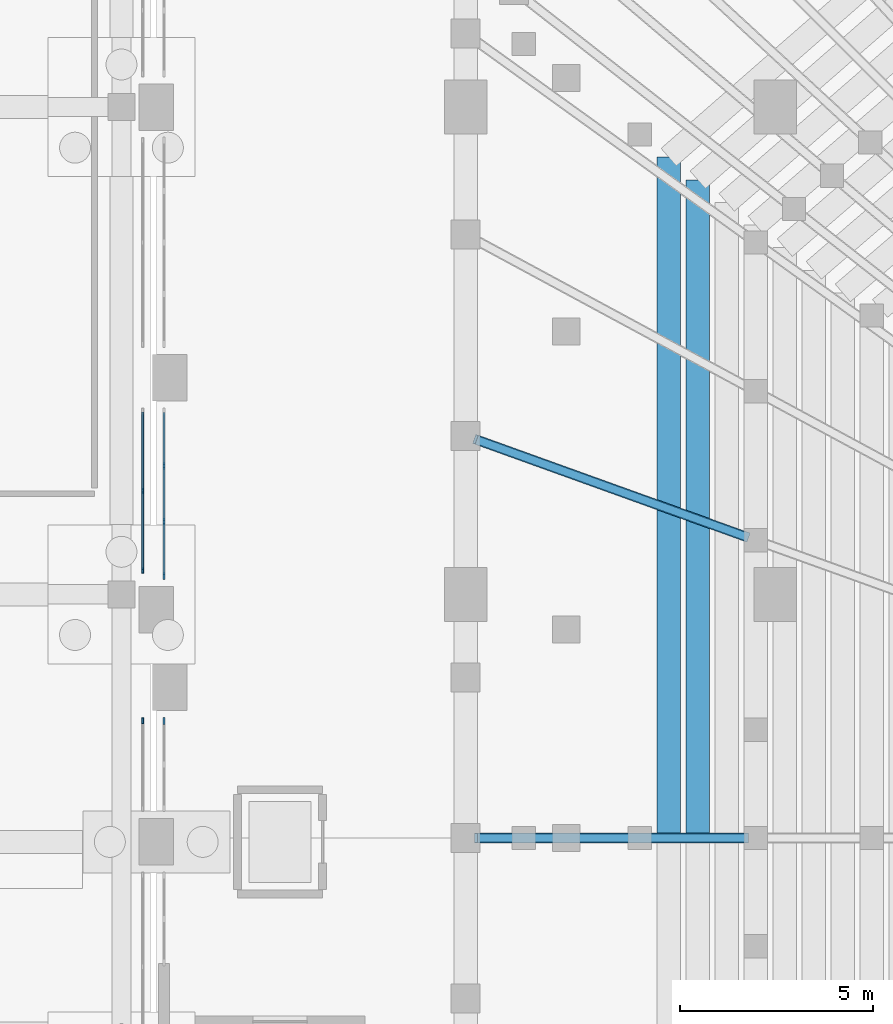
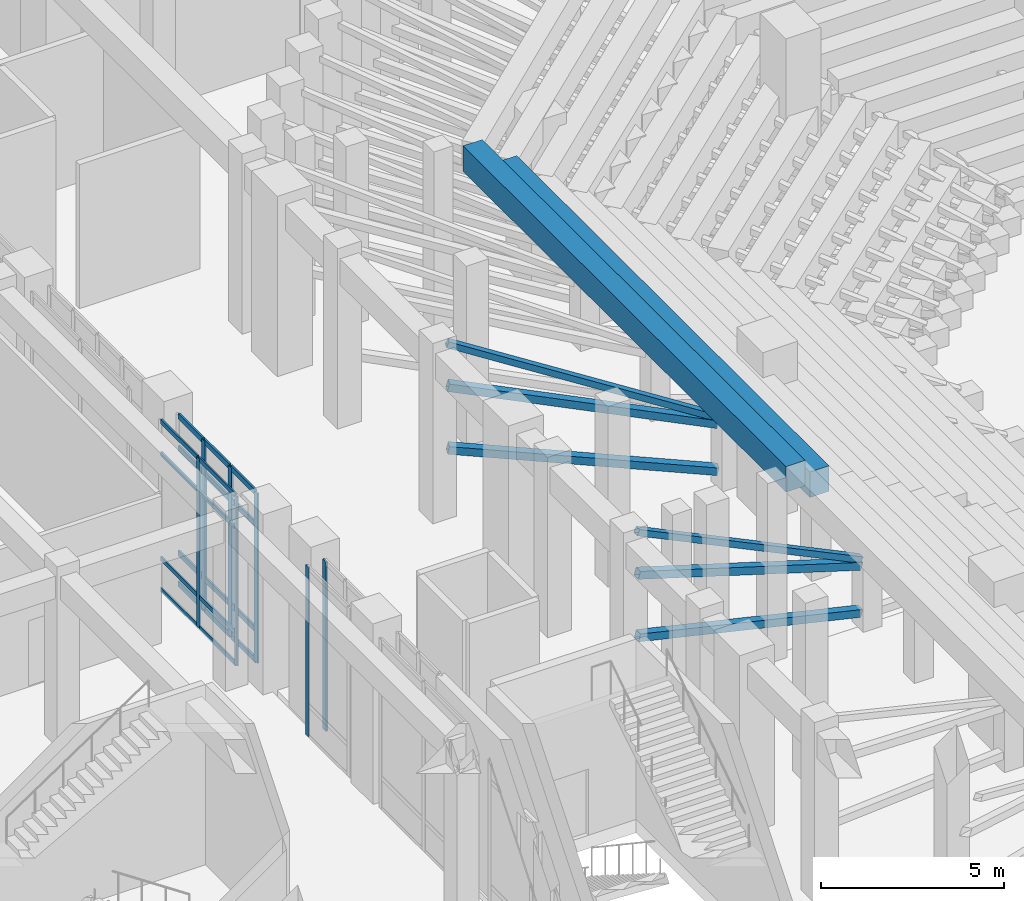
# One storey, part 41 of 143: 33 members, 2 beams, 4 elements without a shape of their own.
"""IFC4 building model written with IfcOpenShell, lengths in metres."""

from ifc_helpers import new_model, si_unit, derived_unit, direction, frame, origin, origin_2d, place, context, subcontext, project, spatial, rectangle, hollow_rectangle, extrude, material, layer, layer_set, material_profile, profile_set, type_object, element, aggregate, save


model = new_model("IFC4")

# Units and contexts
model_context = context("Model", 3, precision=1e-05, world=origin(), true_north=direction((0.0, 1.0)))
body_context = subcontext(model_context, "Body", "Model", "MODEL_VIEW")
ifc_project = project(units=[si_unit("LENGTHUNIT", "METRE"), si_unit("AREAUNIT", "SQUARE_METRE"), si_unit("VOLUMEUNIT", "CUBIC_METRE"), si_unit("PLANEANGLEUNIT", "RADIAN"), si_unit("MASSUNIT", "GRAM", prefix="KILO"), derived_unit("THERMALTRANSMITTANCEUNIT", [(si_unit("MASSUNIT", "GRAM", prefix="KILO"), 1), (si_unit("TIMEUNIT", "SECOND"), -3), (si_unit("THERMODYNAMICTEMPERATUREUNIT", "KELVIN"), -1)])], contexts=[model_context])

# Site, building, storey
site_placement = place(None, origin())
site = spatial("IfcSite", under=ifc_project, at=site_placement, CompositionType="ELEMENT")
building_placement = place(site_placement, origin())
building = spatial("IfcBuilding", under=site, at=building_placement, Name="Valcora Ridge Arena", CompositionType="ELEMENT")
storey_placement = place(building_placement, origin())
storey = spatial("IfcBuildingStorey", under=building, at=storey_placement, Name="L00", CompositionType="ELEMENT", Elevation=0.0)

# Beams
ifc_material_1 = material(Name="Concrete C40/50", Category="concrete")
ifc_material_profile_1 = material_profile(ifc_material_1, rectangle(XDim=0.60009765625, YDim=0.85009765625, at=origin_2d()), Name="RC 600x850")
ifc_profile_set_1 = profile_set([ifc_material_profile_1], Name="Concrete C40/50")
beam_type = type_object("IfcBeamType", Name="TY-BEAM-B-RC600-X", PredefinedType="BEAM", material=ifc_profile_set_1)
beam_1_placement = place(storey_placement, frame((30.0, 81.1201171875, 5.2548828125), z_axis=(0.0, -1.0, 0.0), x_axis=(1.0, 0.0, 0.0)))
element("IfcBeam", 1, at=beam_1_placement, inside=storey, type_object=beam_type, Name="B-RC600-X BEM-R2-B-RC600-X-0142", PredefinedType="BEAM", context=body_context, shape_type="SweptSolid", body=[
    extrude(rectangle(XDim=0.60009765625, YDim=0.85009765625, at=origin_2d()), origin(), (0.0, 0.0, 1.0), 17.02001953125),
])
beam_2_placement = place(storey_placement, frame((29.25, 81.705078125, 5.695068359375), z_axis=(0.0, -1.0, 0.0), x_axis=(1.0, 0.0, 0.0)))
element("IfcBeam", 2, at=beam_2_placement, inside=storey, type_object=beam_type, Name="B-RC600-X BEM-R2-B-RC600-X-0154", PredefinedType="BEAM", context=body_context, shape_type="SweptSolid", body=[
    extrude(rectangle(XDim=0.60009765625, YDim=0.85009765625, at=origin_2d()), origin(), (0.0, 0.0, 1.0), 17.60498046875),
])

# Curtain wall, member
ifc_material_2 = material(Name="Anodised dark bronze architectural aluminium 6063-T6", Category="aluminium")
ifc_layer_1 = layer(ifc_material_2, 0.14990234375, Name="Anodised dark bronze architectural aluminium 6063-T6")
ifc_layer_set_1 = layer_set([ifc_layer_1], Name="Anodised dark bronze architectural aluminium 6063-T6")
curtain_wall_type_1 = type_object("IfcCurtainWallType", Name="TY-CURTAINWALL-CW-V4-CLUB-023X56", PredefinedType="NOTDEFINED", material=ifc_layer_set_1)
curtain_wall_1_placement = place(storey_placement, origin())
curtain_wall_1 = element("IfcCurtainWall", 3, at=curtain_wall_1_placement, inside=storey, type_object=curtain_wall_type_1, Name="CW-V4-CLUB-023X56 CW-0199", PredefinedType="NOTDEFINED")
ifc_material_profile_2 = material_profile(ifc_material_2, rectangle(XDim=0.050048828125, YDim=0.14990234375, at=origin_2d()), Name="ALU MULLION 50x150")
ifc_profile_set_2 = profile_set([ifc_material_profile_2], Name="Anodised dark bronze architectural aluminium 6063-T6")
member_type_1 = type_object("IfcMemberType", Name="TY-MEM-CWM-50x150", PredefinedType="MULLION", material=ifc_profile_set_2)
member_1_placement = place(storey_placement, frame((15.64990234375, 67.135009765625, 0.0), z_axis=(0.0, 0.0, 1.0), x_axis=(-1.0, 0.0, 0.0)))
member_1 = element("IfcMember", 4, at=member_1_placement, type_object=member_type_1, Name="CW-0199/CWM-50x150/M01", PredefinedType="MULLION", context=body_context, shape_type="SweptSolid", body=[
    extrude(rectangle(XDim=0.050048828125, YDim=0.14990234375, at=origin_2d()), origin(), (0.0, 0.0, 1.0), 5.639892578125),
])
aggregate(curtain_wall_1, [member_1])

# Curtain wall, members
ifc_layer_2 = layer(ifc_material_2, 0.14990234375, Name="Anodised dark bronze architectural aluminium 6063-T6")
ifc_layer_set_2 = layer_set([ifc_layer_2], Name="Anodised dark bronze architectural aluminium 6063-T6")
curtain_wall_type_2 = type_object("IfcCurtainWallType", Name="TY-CURTAINWALL-CW-V4-CLUB-042X56", PredefinedType="NOTDEFINED", material=ifc_layer_set_2)
curtain_wall_2_placement = place(storey_placement, origin())
curtain_wall_2 = element("IfcCurtainWall", 5, at=curtain_wall_2_placement, inside=storey, type_object=curtain_wall_type_2, Name="CW-V4-CLUB-042X56 CW-0200", PredefinedType="NOTDEFINED")
member_2_placement = place(storey_placement, frame((15.64990234375, 71.014892578125, 0.0), z_axis=(0.0, 0.0, 1.0), x_axis=(-1.0, 0.0, 0.0)))
member_2 = element("IfcMember", 6, at=member_2_placement, type_object=member_type_1, Name="CW-0200/CWM-50x150/M00", PredefinedType="MULLION", context=body_context, shape_type="SweptSolid", body=[
    extrude(rectangle(XDim=0.050048828125, YDim=0.14990234375, at=origin_2d()), origin(), (0.0, 0.0, 1.0), 5.639892578125),
])
member_3_placement = place(storey_placement, frame((15.64990234375, 73.074951171875, 0.0), z_axis=(0.0, 0.0, 1.0), x_axis=(-1.0, 0.0, 0.0)))
member_3 = element("IfcMember", 7, at=member_3_placement, type_object=member_type_1, Name="CW-0200/CWM-50x150/M01", PredefinedType="MULLION", context=body_context, shape_type="SweptSolid", body=[
    extrude(rectangle(XDim=0.050048828125, YDim=0.14990234375, at=origin_2d()), origin(), (0.0, 0.0, 1.0), 5.639892578125),
])

# Curtain wall, member
ifc_layer_3 = layer(ifc_material_2, 0.179931640625, Name="Anodised dark bronze architectural aluminium 6063-T6")
ifc_layer_set_3 = layer_set([ifc_layer_3], Name="Anodised dark bronze architectural aluminium 6063-T6")
curtain_wall_type_3 = type_object("IfcCurtainWallType", Name="TY-CURTAINWALL-CW-V1-GOTH-023X56", PredefinedType="NOTDEFINED", material=ifc_layer_set_3)
curtain_wall_3_placement = place(storey_placement, origin())
curtain_wall_3 = element("IfcCurtainWall", 8, at=curtain_wall_3_placement, inside=storey, type_object=curtain_wall_type_3, Name="CW-V1-GOTH-023X56 CW-0083", PredefinedType="NOTDEFINED")
ifc_material_profile_3 = material_profile(ifc_material_2, rectangle(XDim=0.06005859375, YDim=0.179931640625, at=origin_2d()), Name="ALU MULLION 60x180")
ifc_profile_set_3 = profile_set([ifc_material_profile_3], Name="Anodised dark bronze architectural aluminium 6063-T6")
member_type_2 = type_object("IfcMemberType", Name="TY-MEM-CWM-60x180", PredefinedType="MULLION", material=ifc_profile_set_3)
member_4_placement = place(storey_placement, frame((16.199951171875, 67.1298828125, 0.0), z_axis=(0.0, 0.0, 1.0), x_axis=(-1.0, 0.0, 0.0)))
member_4 = element("IfcMember", 9, at=member_4_placement, type_object=member_type_2, Name="CW-0083/CWM-60x180/M02", PredefinedType="MULLION", context=body_context, shape_type="SweptSolid", body=[
    extrude(rectangle(XDim=0.06005859375, YDim=0.179931640625, at=origin_2d()), origin(), (0.0, 0.0, 1.0), 5.639892578125),
])
aggregate(curtain_wall_3, [member_4])

# Curtain wall, members
ifc_layer_4 = layer(ifc_material_2, 0.179931640625, Name="Anodised dark bronze architectural aluminium 6063-T6")
ifc_layer_set_4 = layer_set([ifc_layer_4], Name="Anodised dark bronze architectural aluminium 6063-T6")
curtain_wall_type_4 = type_object("IfcCurtainWallType", Name="TY-CURTAINWALL-CW-V1-GOTH-043X56", PredefinedType="NOTDEFINED", material=ifc_layer_set_4)
curtain_wall_4_placement = place(storey_placement, origin())
curtain_wall_4 = element("IfcCurtainWall", 10, at=curtain_wall_4_placement, inside=storey, type_object=curtain_wall_type_4, Name="CW-V1-GOTH-043X56 CW-0084", PredefinedType="NOTDEFINED")
member_5_placement = place(storey_placement, frame((16.199951171875, 70.8701171875, 0.0), z_axis=(0.0, 0.0, 1.0), x_axis=(-1.0, 0.0, 0.0)))
member_5 = element("IfcMember", 11, at=member_5_placement, type_object=member_type_2, Name="CW-0084/CWM-60x180/M00", PredefinedType="MULLION", context=body_context, shape_type="SweptSolid", body=[
    extrude(rectangle(XDim=0.06005859375, YDim=0.179931640625, at=origin_2d()), origin(), (0.0, 0.0, 1.0), 5.639892578125),
])
member_6_placement = place(storey_placement, frame((16.199951171875, 72.280029296875, 0.0), z_axis=(0.0, 0.0, 1.0), x_axis=(-1.0, 0.0, 0.0)))
member_6 = element("IfcMember", 12, at=member_6_placement, type_object=member_type_2, Name="CW-0084/CWM-60x180/M01", PredefinedType="MULLION", context=body_context, shape_type="SweptSolid", body=[
    extrude(rectangle(XDim=0.06005859375, YDim=0.179931640625, at=origin_2d()), origin(), (0.0, 0.0, 1.0), 5.639892578125),
])
member_7_placement = place(storey_placement, frame((16.199951171875, 73.719970703125, 0.0), z_axis=(0.0, 0.0, 1.0), x_axis=(-1.0, 0.0, 0.0)))
member_7 = element("IfcMember", 13, at=member_7_placement, type_object=member_type_2, Name="CW-0084/CWM-60x180/M02", PredefinedType="MULLION", context=body_context, shape_type="SweptSolid", body=[
    extrude(rectangle(XDim=0.06005859375, YDim=0.179931640625, at=origin_2d()), origin(), (0.0, 0.0, 1.0), 5.639892578125),
])

# Member
ifc_material_profile_4 = material_profile(ifc_material_2, rectangle(XDim=0.050048828125, YDim=0.14990234375, at=origin_2d()), Name="ALU TRANSOM 50x150")
ifc_profile_set_4 = profile_set([ifc_material_profile_4], Name="Anodised dark bronze architectural aluminium 6063-T6")
member_type_3 = type_object("IfcMemberType", Name="TY-MEM-CWT-50x150", PredefinedType="USERDEFINED", material=ifc_profile_set_4)
member_8_placement = place(storey_placement, frame((15.64990234375, 71.0400390625, 0.02490234375), z_axis=(0.0, 1.0, 0.0), x_axis=(-1.0, 0.0, 0.0)))
member_8 = element("IfcMember", 14, at=member_8_placement, type_object=member_type_3, Name="CW-0200/CWT-50x150/T00-00", ObjectType="TRANSOM", PredefinedType="USERDEFINED", context=body_context, shape_type="SweptSolid", body=[
    extrude(rectangle(XDim=0.050048828125, YDim=0.14990234375, at=origin_2d()), origin(), (0.0, 0.0, 1.0), 2.010009765625),
])

member_9_placement = place(storey_placement, frame((15.64990234375, 71.0400390625, 1.050048828125), z_axis=(0.0, 1.0, 0.0), x_axis=(-1.0, 0.0, 0.0)))
member_9 = element("IfcMember", 15, at=member_9_placement, type_object=member_type_3, Name="CW-0200/CWT-50x150/T00-01", ObjectType="TRANSOM", PredefinedType="USERDEFINED", context=body_context, shape_type="SweptSolid", body=[
    extrude(rectangle(XDim=0.050048828125, YDim=0.14990234375, at=origin_2d()), origin(), (0.0, 0.0, 1.0), 2.010009765625),
])

member_10_placement = place(storey_placement, frame((15.64990234375, 71.0400390625, 4.5400390625), z_axis=(0.0, 1.0, 0.0), x_axis=(-1.0, 0.0, 0.0)))
member_10 = element("IfcMember", 16, at=member_10_placement, type_object=member_type_3, Name="CW-0200/CWT-50x150/T00-02", ObjectType="TRANSOM", PredefinedType="USERDEFINED", context=body_context, shape_type="SweptSolid", body=[
    extrude(rectangle(XDim=0.050048828125, YDim=0.14990234375, at=origin_2d()), origin(), (0.0, 0.0, 1.0), 2.010009765625),
])

member_11_placement = place(storey_placement, frame((15.64990234375, 71.0400390625, 5.614990234375), z_axis=(0.0, 1.0, 0.0), x_axis=(-1.0, 0.0, 0.0)))
member_11 = element("IfcMember", 17, at=member_11_placement, type_object=member_type_3, Name="CW-0200/CWT-50x150/T00-03", ObjectType="TRANSOM", PredefinedType="USERDEFINED", context=body_context, shape_type="SweptSolid", body=[
    extrude(rectangle(XDim=0.050048828125, YDim=0.14990234375, at=origin_2d()), origin(), (0.0, 0.0, 1.0), 2.010009765625),
])

member_12_placement = place(storey_placement, frame((15.64990234375, 73.10009765625, 0.02490234375), z_axis=(0.0, 1.0, 0.0), x_axis=(-1.0, 0.0, 0.0)))
member_12 = element("IfcMember", 18, at=member_12_placement, type_object=member_type_3, Name="CW-0200/CWT-50x150/T01-00", ObjectType="TRANSOM", PredefinedType="USERDEFINED", context=body_context, shape_type="SweptSolid", body=[
    extrude(rectangle(XDim=0.050048828125, YDim=0.14990234375, at=origin_2d()), origin(), (0.0, 0.0, 1.0), 2.010009765625),
])

member_13_placement = place(storey_placement, frame((15.64990234375, 73.10009765625, 1.050048828125), z_axis=(0.0, 1.0, 0.0), x_axis=(-1.0, 0.0, 0.0)))
member_13 = element("IfcMember", 19, at=member_13_placement, type_object=member_type_3, Name="CW-0200/CWT-50x150/T01-01", ObjectType="TRANSOM", PredefinedType="USERDEFINED", context=body_context, shape_type="SweptSolid", body=[
    extrude(rectangle(XDim=0.050048828125, YDim=0.14990234375, at=origin_2d()), origin(), (0.0, 0.0, 1.0), 2.010009765625),
])

member_14_placement = place(storey_placement, frame((15.64990234375, 73.10009765625, 4.5400390625), z_axis=(0.0, 1.0, 0.0), x_axis=(-1.0, 0.0, 0.0)))
member_14 = element("IfcMember", 20, at=member_14_placement, type_object=member_type_3, Name="CW-0200/CWT-50x150/T01-02", ObjectType="TRANSOM", PredefinedType="USERDEFINED", context=body_context, shape_type="SweptSolid", body=[
    extrude(rectangle(XDim=0.050048828125, YDim=0.14990234375, at=origin_2d()), origin(), (0.0, 0.0, 1.0), 2.010009765625),
])

member_15_placement = place(storey_placement, frame((15.64990234375, 73.10009765625, 5.614990234375), z_axis=(0.0, 1.0, 0.0), x_axis=(-1.0, 0.0, 0.0)))
member_15 = element("IfcMember", 21, at=member_15_placement, type_object=member_type_3, Name="CW-0200/CWT-50x150/T01-03", ObjectType="TRANSOM", PredefinedType="USERDEFINED", context=body_context, shape_type="SweptSolid", body=[
    extrude(rectangle(XDim=0.050048828125, YDim=0.14990234375, at=origin_2d()), origin(), (0.0, 0.0, 1.0), 2.010009765625),
])

aggregate(curtain_wall_2, [member_2, member_3, member_8, member_9, member_10, member_11, member_12, member_13, member_14, member_15])

ifc_material_profile_5 = material_profile(ifc_material_2, rectangle(XDim=0.06005859375, YDim=0.179931640625, at=origin_2d()), Name="ALU TRANSOM 60x180")
ifc_profile_set_5 = profile_set([ifc_material_profile_5], Name="Anodised dark bronze architectural aluminium 6063-T6")
member_type_4 = type_object("IfcMemberType", Name="TY-MEM-CWT-60x180", PredefinedType="USERDEFINED", material=ifc_profile_set_5)
member_16_placement = place(storey_placement, frame((16.199951171875, 70.89990234375, 0.030029296875), z_axis=(0.0, 1.0, 0.0), x_axis=(-1.0, 0.0, 0.0)))
member_16 = element("IfcMember", 22, at=member_16_placement, type_object=member_type_4, Name="CW-0084/CWT-60x180/T00-00", ObjectType="TRANSOM", PredefinedType="USERDEFINED", context=body_context, shape_type="SweptSolid", body=[
    extrude(rectangle(XDim=0.06005859375, YDim=0.179931640625, at=origin_2d()), origin(), (0.0, 0.0, 1.0), 1.35009765625),
])

member_17_placement = place(storey_placement, frame((16.199951171875, 70.89990234375, 1.050048828125), z_axis=(0.0, 1.0, 0.0), x_axis=(-1.0, 0.0, 0.0)))
member_17 = element("IfcMember", 23, at=member_17_placement, type_object=member_type_4, Name="CW-0084/CWT-60x180/T00-01", ObjectType="TRANSOM", PredefinedType="USERDEFINED", context=body_context, shape_type="SweptSolid", body=[
    extrude(rectangle(XDim=0.06005859375, YDim=0.179931640625, at=origin_2d()), origin(), (0.0, 0.0, 1.0), 1.35009765625),
])

member_18_placement = place(storey_placement, frame((16.199951171875, 70.89990234375, 4.5400390625), z_axis=(0.0, 1.0, 0.0), x_axis=(-1.0, 0.0, 0.0)))
member_18 = element("IfcMember", 24, at=member_18_placement, type_object=member_type_4, Name="CW-0084/CWT-60x180/T00-02", ObjectType="TRANSOM", PredefinedType="USERDEFINED", context=body_context, shape_type="SweptSolid", body=[
    extrude(rectangle(XDim=0.06005859375, YDim=0.179931640625, at=origin_2d()), origin(), (0.0, 0.0, 1.0), 1.35009765625),
])

member_19_placement = place(storey_placement, frame((16.199951171875, 70.89990234375, 5.610107421875), z_axis=(0.0, 1.0, 0.0), x_axis=(-1.0, 0.0, 0.0)))
member_19 = element("IfcMember", 25, at=member_19_placement, type_object=member_type_4, Name="CW-0084/CWT-60x180/T00-03", ObjectType="TRANSOM", PredefinedType="USERDEFINED", context=body_context, shape_type="SweptSolid", body=[
    extrude(rectangle(XDim=0.06005859375, YDim=0.179931640625, at=origin_2d()), origin(), (0.0, 0.0, 1.0), 1.35009765625),
])

member_20_placement = place(storey_placement, frame((16.199951171875, 72.31005859375, 0.030029296875), z_axis=(0.0, 1.0, 0.0), x_axis=(-1.0, 0.0, 0.0)))
member_20 = element("IfcMember", 26, at=member_20_placement, type_object=member_type_4, Name="CW-0084/CWT-60x180/T01-00", ObjectType="TRANSOM", PredefinedType="USERDEFINED", context=body_context, shape_type="SweptSolid", body=[
    extrude(rectangle(XDim=0.06005859375, YDim=0.179931640625, at=origin_2d()), origin(), (0.0, 0.0, 1.0), 1.3798828125),
])

member_21_placement = place(storey_placement, frame((16.199951171875, 72.31005859375, 1.050048828125), z_axis=(0.0, 1.0, 0.0), x_axis=(-1.0, 0.0, 0.0)))
member_21 = element("IfcMember", 27, at=member_21_placement, type_object=member_type_4, Name="CW-0084/CWT-60x180/T01-01", ObjectType="TRANSOM", PredefinedType="USERDEFINED", context=body_context, shape_type="SweptSolid", body=[
    extrude(rectangle(XDim=0.06005859375, YDim=0.179931640625, at=origin_2d()), origin(), (0.0, 0.0, 1.0), 1.3798828125),
])

member_22_placement = place(storey_placement, frame((16.199951171875, 72.31005859375, 4.5400390625), z_axis=(0.0, 1.0, 0.0), x_axis=(-1.0, 0.0, 0.0)))
member_22 = element("IfcMember", 28, at=member_22_placement, type_object=member_type_4, Name="CW-0084/CWT-60x180/T01-02", ObjectType="TRANSOM", PredefinedType="USERDEFINED", context=body_context, shape_type="SweptSolid", body=[
    extrude(rectangle(XDim=0.06005859375, YDim=0.179931640625, at=origin_2d()), origin(), (0.0, 0.0, 1.0), 1.3798828125),
])

member_23_placement = place(storey_placement, frame((16.199951171875, 72.31005859375, 5.610107421875), z_axis=(0.0, 1.0, 0.0), x_axis=(-1.0, 0.0, 0.0)))
member_23 = element("IfcMember", 29, at=member_23_placement, type_object=member_type_4, Name="CW-0084/CWT-60x180/T01-03", ObjectType="TRANSOM", PredefinedType="USERDEFINED", context=body_context, shape_type="SweptSolid", body=[
    extrude(rectangle(XDim=0.06005859375, YDim=0.179931640625, at=origin_2d()), origin(), (0.0, 0.0, 1.0), 1.3798828125),
])

member_24_placement = place(storey_placement, frame((16.199951171875, 73.75, 0.030029296875), z_axis=(0.0, 1.0, 0.0), x_axis=(-1.0, 0.0, 0.0)))
member_24 = element("IfcMember", 30, at=member_24_placement, type_object=member_type_4, Name="CW-0084/CWT-60x180/T02-00", ObjectType="TRANSOM", PredefinedType="USERDEFINED", context=body_context, shape_type="SweptSolid", body=[
    extrude(rectangle(XDim=0.06005859375, YDim=0.179931640625, at=origin_2d()), origin(), (0.0, 0.0, 1.0), 1.35009765625),
])

member_25_placement = place(storey_placement, frame((16.199951171875, 73.75, 1.050048828125), z_axis=(0.0, 1.0, 0.0), x_axis=(-1.0, 0.0, 0.0)))
member_25 = element("IfcMember", 31, at=member_25_placement, type_object=member_type_4, Name="CW-0084/CWT-60x180/T02-01", ObjectType="TRANSOM", PredefinedType="USERDEFINED", context=body_context, shape_type="SweptSolid", body=[
    extrude(rectangle(XDim=0.06005859375, YDim=0.179931640625, at=origin_2d()), origin(), (0.0, 0.0, 1.0), 1.35009765625),
])

member_26_placement = place(storey_placement, frame((16.199951171875, 73.75, 4.5400390625), z_axis=(0.0, 1.0, 0.0), x_axis=(-1.0, 0.0, 0.0)))
member_26 = element("IfcMember", 32, at=member_26_placement, type_object=member_type_4, Name="CW-0084/CWT-60x180/T02-02", ObjectType="TRANSOM", PredefinedType="USERDEFINED", context=body_context, shape_type="SweptSolid", body=[
    extrude(rectangle(XDim=0.06005859375, YDim=0.179931640625, at=origin_2d()), origin(), (0.0, 0.0, 1.0), 1.35009765625),
])

member_27_placement = place(storey_placement, frame((16.199951171875, 73.75, 5.610107421875), z_axis=(0.0, 1.0, 0.0), x_axis=(-1.0, 0.0, 0.0)))
member_27 = element("IfcMember", 33, at=member_27_placement, type_object=member_type_4, Name="CW-0084/CWT-60x180/T02-03", ObjectType="TRANSOM", PredefinedType="USERDEFINED", context=body_context, shape_type="SweptSolid", body=[
    extrude(rectangle(XDim=0.06005859375, YDim=0.179931640625, at=origin_2d()), origin(), (0.0, 0.0, 1.0), 1.35009765625),
])

aggregate(curtain_wall_4, [member_5, member_6, member_7, member_16, member_17, member_18, member_19, member_20, member_21, member_22, member_23, member_24, member_25, member_26, member_27])

# Members
ifc_material_3 = material(Name="Steel ASTM A500 Grade C", Category="steel")
ifc_material_profile_6 = material_profile(ifc_material_3, hollow_rectangle(XDim=0.25, YDim=0.25, WallThickness=0.012451171875, at=origin_2d()), Name="HSS250X250X12")
ifc_profile_set_6 = profile_set([ifc_material_profile_6], Name="Steel ASTM A500 Grade C")
member_type_5 = type_object("IfcMemberType", Name="TY-MEMBER-RKRC-252", PredefinedType="CHORD", material=ifc_profile_set_6)
member_28_placement = place(storey_placement, frame((31.282958984375, 71.878173828125, 2.06640625), z_axis=(-0.904000130759, 0.325445070343, 0.277253078931), x_axis=(-0.338724096661, -0.940885745636, 0.0)))
element("IfcMember", 34, at=member_28_placement, inside=storey, type_object=member_type_5, Name="RKRC-252 MBR-RK-RKRC-252-0049", PredefinedType="CHORD", context=body_context, shape_type="SweptSolid", body=[
    extrude(hollow_rectangle(XDim=0.25, YDim=0.25, WallThickness=0.012451171875, at=origin_2d()), origin(), (0.0, 0.0, 1.0), 7.7763671875),
])
member_29_placement = place(storey_placement, frame((31.2705078125, 64.10009765625, 2.0703125), z_axis=(-0.95604885156, 0.0, 0.293207423901), x_axis=(0.0, -1.0, 0.0)))
element("IfcMember", 35, at=member_29_placement, inside=storey, type_object=member_type_5, Name="RKRC-252 MBR-RK-RKRC-252-0050", PredefinedType="CHORD", context=body_context, shape_type="SweptSolid", body=[
    extrude(hollow_rectangle(XDim=0.25, YDim=0.25, WallThickness=0.012451171875, at=origin_2d()), origin(), (0.0, 0.0, 1.0), 7.324951171875),
])
ifc_material_profile_7 = material_profile(ifc_material_3, hollow_rectangle(XDim=0.25, YDim=0.25, WallThickness=0.012451171875, at=origin_2d()), Name="HSS250X250X12")
ifc_profile_set_7 = profile_set([ifc_material_profile_7], Name="Steel ASTM A500 Grade C")
member_type_6 = type_object("IfcMemberType", Name="TY-MEMBER-RKRC-255", PredefinedType="CHORD", material=ifc_profile_set_7)
member_30_placement = place(storey_placement, frame((31.279296875, 71.87939453125, 0.50146484375), z_axis=(-0.91899526261, 0.330860021706, 0.214427967713), x_axis=(-0.338739160639, -0.940880322384, 0.0)))
element("IfcMember", 36, at=member_30_placement, inside=storey, type_object=member_type_6, Name="RKRC-255 MBR-RK-RKRC-255-0049", PredefinedType="CHORD", context=body_context, shape_type="SweptSolid", body=[
    extrude(hollow_rectangle(XDim=0.25, YDim=0.25, WallThickness=0.012451171875, at=origin_2d()), origin(), (0.0, 0.0, 1.0), 7.640869140625),
])
member_31_placement = place(storey_placement, frame((31.266357421875, 64.10009765625, 0.50439453125), z_axis=(-0.973834188084, 0.0, 0.227259706324), x_axis=(0.0, -1.0, 0.0)))
element("IfcMember", 37, at=member_31_placement, inside=storey, type_object=member_type_6, Name="RKRC-255 MBR-RK-RKRC-255-0050", PredefinedType="CHORD", context=body_context, shape_type="SweptSolid", body=[
    extrude(hollow_rectangle(XDim=0.25, YDim=0.25, WallThickness=0.012451171875, at=origin_2d()), origin(), (0.0, 0.0, 1.0), 7.181640625),
])
ifc_material_profile_8 = material_profile(ifc_material_3, hollow_rectangle(XDim=0.199951171875, YDim=0.199951171875, WallThickness=0.012451171875, at=origin_2d()), Name="HSS200X200X12")
ifc_profile_set_8 = profile_set([ifc_material_profile_8], Name="Steel ASTM A500 Grade C")
member_type_7 = type_object("IfcMemberType", Name="TY-MEMBER-RKRD-202", PredefinedType="BRACE", material=ifc_profile_set_8)
member_32_placement = place(storey_placement, frame((31.294189453125, 71.8740234375, 2.248779296875), z_axis=(-0.857492925697, 0.308702201603, 0.411593043071), x_axis=(-0.338724080643, -0.940885751403, 0.0)))
element("IfcMember", 38, at=member_32_placement, inside=storey, type_object=member_type_7, Name="RKRD-202 Raker Diagonal Brace", PredefinedType="BRACE", context=body_context, shape_type="SweptSolid", body=[
    extrude(hollow_rectangle(XDim=0.199951171875, YDim=0.199951171875, WallThickness=0.012451171875, at=origin_2d()), origin(), (0.0, 0.0, 1.0), 8.2265625),
])
member_33_placement = place(storey_placement, frame((31.28369140625, 64.10009765625, 2.25390625), z_axis=(-0.901523057468, 0.0, 0.432731067585), x_axis=(0.0, -1.0, 0.0)))
element("IfcMember", 39, at=member_33_placement, inside=storey, type_object=member_type_7, Name="RKRD-202 Raker Diagonal Brace", PredefinedType="BRACE", context=body_context, shape_type="SweptSolid", body=[
    extrude(hollow_rectangle(XDim=0.199951171875, YDim=0.199951171875, WallThickness=0.012451171875, at=origin_2d()), origin(), (0.0, 0.0, 1.0), 7.79931640625),
])

save(model, "model.ifc")
